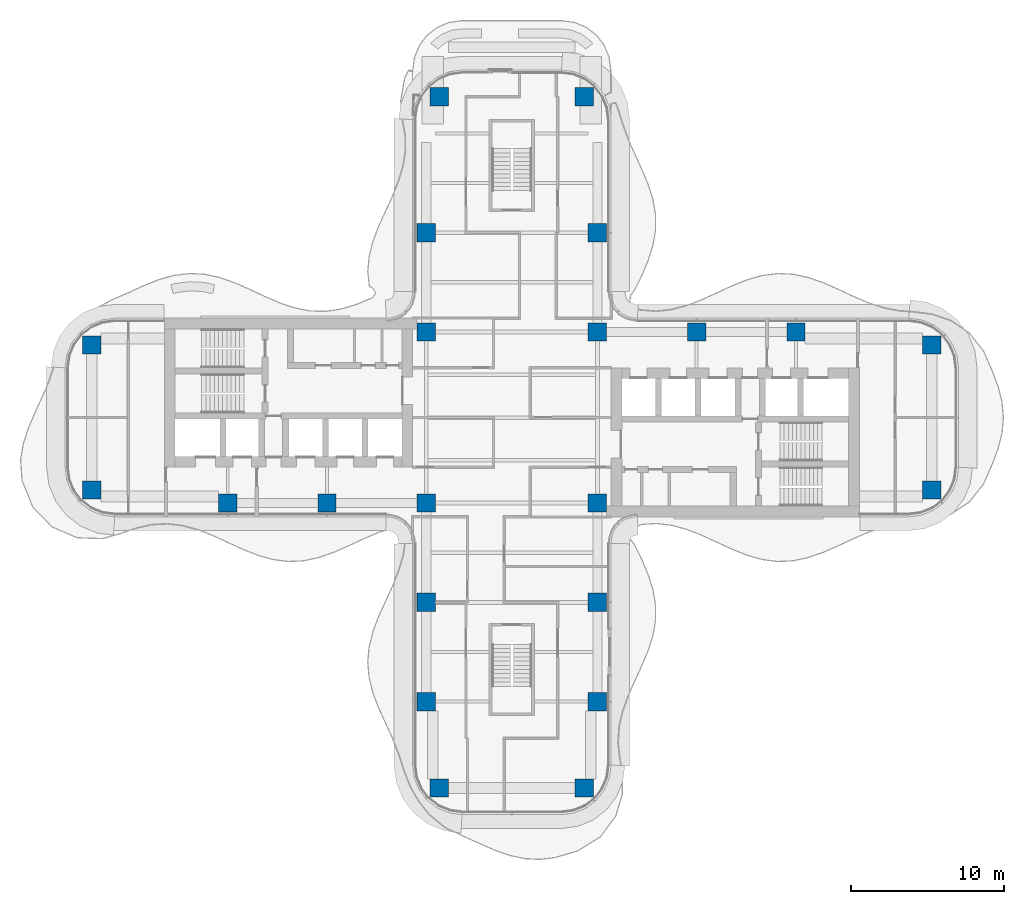
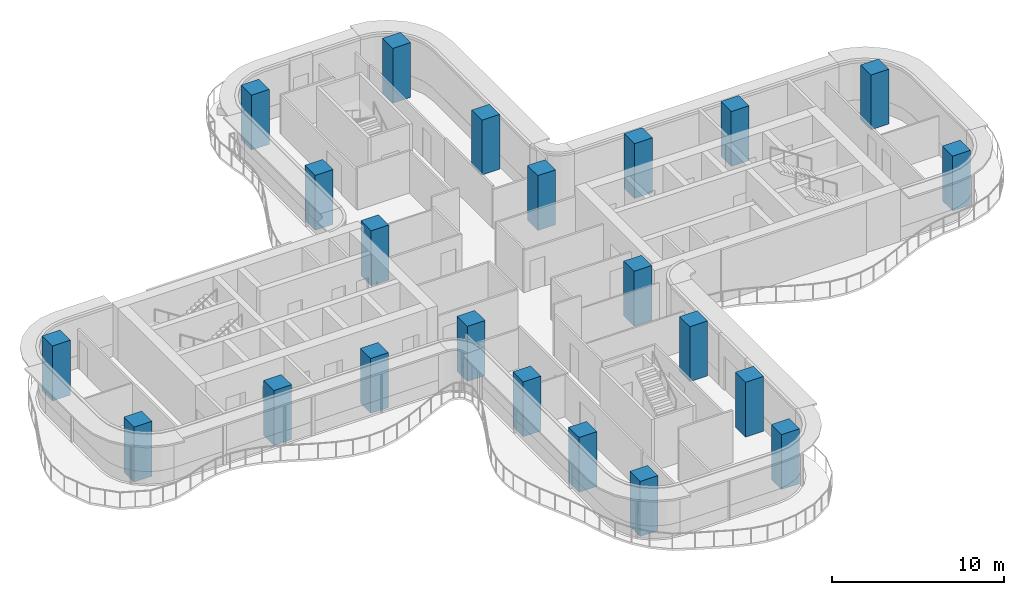
# One storey, part 1 of 17: 22 columns.
"""IFC4 building model written with IfcOpenShell, lengths in metres."""

import ifcopenshell
import ifcopenshell.guid

model = None  # the IFC model being written
_history = None  # IfcOwnerHistory: only IFC2X3 demands one
_inside = {}  # id of a spatial element -> (the spatial element, [elements in it])
_under = {}  # id of a project, library or spatial element -> (it, [spatial elements below it])
_declared = {}  # id of a project -> (the project, [libraries it declares])
_typed = {}  # id of a type object -> (the type object, [elements of that type])
_made_of = {}  # id of a material, layer set ... -> (it, [elements and type objects made of it])


def new_model(schema):
    """Start an empty IFC model of exactly this schema.

    Asked for "IFC4X3", IfcOpenShell would pick the latest addendum, in which some entities
    have other attributes; the version numbers below select the first issue.
    IFC2X3 requires an IfcOwnerHistory on every rooted entity: one is made here for all.
    """
    global model, _history
    if schema == "IFC4X3":
        model = ifcopenshell.file(schema_version=(4, 3, 0, 0))
    else:
        model = ifcopenshell.file(schema=schema)
    _inside.clear()
    _under.clear()
    _declared.clear()
    _typed.clear()
    _made_of.clear()
    _history = None
    if model.schema == "IFC2X3":
        org = make("IfcOrganization", Name="unknown")
        user = make(
            "IfcPersonAndOrganization",
            ThePerson=make("IfcPerson", FamilyName="unknown"),
            TheOrganization=org,
        )
        app = make(
            "IfcApplication",
            ApplicationDeveloper=org,
            Version="unknown",
            ApplicationFullName="unknown",
            ApplicationIdentifier="unknown",
        )
        _history = make(
            "IfcOwnerHistory",
            OwningUser=user,
            OwningApplication=app,
            ChangeAction="ADDED",
            CreationDate=0,
        )
    return model


def make(cls, **values):
    """One entity of the class cls with the attributes given. An attribute that is None is left unset."""
    return model.create_entity(
        cls, **{name: value for name, value in values.items() if value is not None}
    )


def rooted(cls, **values):
    """An entity with a GlobalId (a new one), such as an element, a storey or a relation."""
    return make(cls, GlobalId=ifcopenshell.guid.new(), OwnerHistory=_history, **values)


def si_unit(unit_type, name, prefix=None):
    """IfcSIUnit, for example si_unit("LENGTHUNIT", "METRE", prefix="MILLI")."""
    return make("IfcSIUnit", UnitType=unit_type, Prefix=prefix, Name=name)


def assignment(units):
    """IfcUnitAssignment: the units of a project."""
    return None if units is None else make("IfcUnitAssignment", Units=units)


def point(xyz):
    """IfcCartesianPoint."""
    return None if xyz is None else make("IfcCartesianPoint", Coordinates=xyz)


def direction(xyz):
    """IfcDirection."""
    return None if xyz is None else make("IfcDirection", DirectionRatios=xyz)


def frame(location, z_axis=None, x_axis=None):
    """IfcAxis2Placement3D, a coordinate frame: its origin and axes. An axis left out is left unset."""
    return make(
        "IfcAxis2Placement3D",
        Location=point(location),
        Axis=direction(z_axis),
        RefDirection=direction(x_axis),
    )


def frame_2d(location, x_axis=None):
    """IfcAxis2Placement2D, a coordinate frame in the plane: its origin and x axis."""
    return make(
        "IfcAxis2Placement2D", Location=point(location), RefDirection=direction(x_axis)
    )


def origin():
    """The frame at (0, 0, 0) with its axes left unset."""
    return frame((0.0, 0.0, 0.0))


def origin_2d():
    """The frame at (0, 0) in the plane with its x axis left unset."""
    return frame_2d((0.0, 0.0))


def place(relative_to, where):
    """IfcLocalPlacement: puts the frame where relative to a parent placement (None: the world)."""
    return make(
        "IfcLocalPlacement", PlacementRelTo=relative_to, RelativePlacement=where
    )


def context(
    kind, dimensions, precision=None, world=None, true_north=None, identifier=None
):
    """IfcGeometricRepresentationContext, for example the 3D "Model" context."""
    return make(
        "IfcGeometricRepresentationContext",
        ContextIdentifier=identifier,
        ContextType=kind,
        CoordinateSpaceDimension=dimensions,
        Precision=precision,
        WorldCoordinateSystem=world,
        TrueNorth=true_north,
    )


def subcontext(parent, identifier, kind, view, scale=None):
    """IfcGeometricRepresentationSubContext, for example "Body" below "Model"."""
    return make(
        "IfcGeometricRepresentationSubContext",
        ContextIdentifier=identifier,
        ContextType=kind,
        ParentContext=parent,
        TargetScale=scale,
        TargetView=view,
    )


def project(units=None, contexts=None):
    """IfcProject with its units and contexts."""
    return rooted(
        "IfcProject",
        Name="project",
        RepresentationContexts=contexts,
        UnitsInContext=assignment(units),
    )


def spatial(cls, under=None, at=None, **own):
    """A site, building, storey or space (cls), placed at a placement, below another one or the project."""
    s = rooted(cls, ObjectPlacement=at, **own)
    if under is not None:
        _under.setdefault(under.id(), (under, []))[1].append(s)
    return s


def profile(cls, at=None, kind="AREA", **sizes):
    """A parametric profile (cls). Its sizes go by their IFC names, for example OverallWidth=200.0."""
    return make(cls, ProfileType=kind, Position=at, **sizes)


def rectangle(**sizes):
    """IfcRectangleProfileDef."""
    return profile("IfcRectangleProfileDef", **sizes)


def extrude(swept, where, along, depth):
    """IfcExtrudedAreaSolid: the profile swept, set in the frame where, extruded along a direction by depth."""
    return make(
        "IfcExtrudedAreaSolid",
        SweptArea=swept,
        Position=where,
        ExtrudedDirection=direction(along),
        Depth=depth,
    )


def shape(context_of_items, identifier, shape_type, items):
    """IfcShapeRepresentation: the items that make up one representation, for example the "Body"."""
    return make(
        "IfcShapeRepresentation",
        ContextOfItems=context_of_items,
        RepresentationIdentifier=identifier,
        RepresentationType=shape_type,
        Items=items,
    )


def source(mapping_origin, context_of_items, identifier, shape_type, items):
    """IfcRepresentationMap: a shape defined once, which mapped items show again and again."""
    return make(
        "IfcRepresentationMap",
        MappingOrigin=mapping_origin,
        MappedRepresentation=shape(context_of_items, identifier, shape_type, items),
    )


def transform(
    local_origin,
    x_axis=None,
    y_axis=None,
    z_axis=None,
    scale=None,
    scale2=None,
    scale3=None,
    uniform=True,
):
    """IfcCartesianTransformationOperator3D, or its non-uniform kind. x_axis, y_axis, z_axis: its Axis1, 2, 3."""
    if uniform:
        return make(
            "IfcCartesianTransformationOperator3D",
            Axis1=direction(x_axis),
            Axis2=direction(y_axis),
            LocalOrigin=point(local_origin),
            Scale=scale,
            Axis3=direction(z_axis),
        )
    return make(
        "IfcCartesianTransformationOperator3DnonUniform",
        Axis1=direction(x_axis),
        Axis2=direction(y_axis),
        LocalOrigin=point(local_origin),
        Scale=scale,
        Axis3=direction(z_axis),
        Scale2=scale2,
        Scale3=scale3,
    )


def mapped(mapping_source, mapping_target):
    """IfcMappedItem: shows the shape of a source again, moved by a transform."""
    return make(
        "IfcMappedItem", MappingSource=mapping_source, MappingTarget=mapping_target
    )


def material(Name=None, Category=None):
    """IfcMaterial."""
    return make("IfcMaterial", Name=Name, Category=Category)


def material_profile(
    of_material, cross_section, Name=None, Category=None, Priority=None
):
    """IfcMaterialProfile: a cross section and its material."""
    return make(
        "IfcMaterialProfile",
        Name=Name,
        Material=of_material,
        Profile=cross_section,
        Priority=Priority,
        Category=Category,
    )


def profile_set(profiles, Name=None, composite=None):
    """IfcMaterialProfileSet."""
    return make(
        "IfcMaterialProfileSet",
        Name=Name,
        MaterialProfiles=profiles,
        CompositeProfile=composite,
    )


def made_of(thing, what):
    """Note that an element or type object is made of a material, layer set ...; save() writes the relation."""
    if what is not None:
        _made_of.setdefault(what.id(), (what, []))[1].append(thing)
    return thing


def type_object(cls, material=None, **own):
    """A type object (cls), such as IfcWallType, which elements share."""
    return made_of(rooted(cls, **own), material)


def element(
    cls,
    number,
    at=None,
    inside=None,
    cuts=None,
    type_object=None,
    material=None,
    context=None,
    identifier="Body",
    shape_type=None,
    held_by="IfcProductDefinitionShape",
    body=None,
    shapes=None,
    **own,
):
    """One element of the class cls, such as IfcWall. Its Tag is "e" and its number.

    at: its placement. inside: the storey or other place that contains it. cuts: it is an
    opening in that element (IfcRelVoidsElement). A single representation is given by context,
    identifier, shape_type and body (its items); several are given by shapes. held_by: the class
    of the entity that holds the representations. save() writes the other relations.
    """
    e = rooted(cls, Tag="e%d" % number, ObjectPlacement=at, **own)
    if body is not None:
        shapes = [shape(context, identifier, shape_type, body)]
    if shapes is not None:
        e.Representation = make(held_by, Representations=shapes)
    if inside is not None:
        _inside.setdefault(inside.id(), (inside, []))[1].append(e)
    if cuts is not None:
        rooted(
            "IfcRelVoidsElement", RelatingBuildingElement=cuts, RelatedOpeningElement=e
        )
    if type_object is not None:
        _typed.setdefault(type_object.id(), (type_object, []))[1].append(e)
    return made_of(e, material)


def aggregate(whole, parts):
    """IfcRelAggregates: a whole, such as a stair, and the parts it consists of."""
    return rooted("IfcRelAggregates", RelatingObject=whole, RelatedObjects=parts)


def save(model, path):
    """Write the relations noted so far, then the file.

    IfcRelAggregates (storeys below a building ...), IfcRelContainedInSpatialStructure (elements
    in a storey), IfcRelDefinesByType, IfcRelAssociatesMaterial and IfcRelDeclares: one each for
    every whole, place, type object, material and project.
    """
    for whole, parts in _under.values():
        aggregate(whole, parts)
    for where, things in _inside.values():
        rooted(
            "IfcRelContainedInSpatialStructure",
            RelatedElements=things,
            RelatingStructure=where,
        )
    for kind, things in _typed.values():
        rooted("IfcRelDefinesByType", RelatedObjects=things, RelatingType=kind)
    for what, things in _made_of.values():
        rooted("IfcRelAssociatesMaterial", RelatedObjects=things, RelatingMaterial=what)
    for by, libraries in _declared.values():
        rooted("IfcRelDeclares", RelatingContext=by, RelatedDefinitions=libraries)
    model.write(path)


model = new_model("IFC4")

# Units and contexts
model_context = context("Model", 3, precision=1e-05, world=origin(), true_north=direction((0.0, 1.0)))
body_context = subcontext(model_context, "Body", "Model", "MODEL_VIEW")
ifc_project = project(units=[si_unit("LENGTHUNIT", "METRE"), si_unit("AREAUNIT", "SQUARE_METRE"), si_unit("VOLUMEUNIT", "CUBIC_METRE"), si_unit("PLANEANGLEUNIT", "RADIAN"), si_unit("MASSUNIT", "GRAM", prefix="KILO")], contexts=[model_context])

# Site, building, storey
site_placement = place(None, origin())
site = spatial("IfcSite", under=ifc_project, at=site_placement, CompositionType="ELEMENT")
building_placement = place(site_placement, origin())
building = spatial("IfcBuilding", under=site, at=building_placement, Name="Trellis Farm Tower", CompositionType="ELEMENT")
storey_placement = place(building_placement, frame((0.0, 0.0, 185.39990234375)))
storey = spatial("IfcBuildingStorey", under=building, at=storey_placement, Name="L40", CompositionType="ELEMENT", Elevation=185.39990234375)

# Columns
ifc_material = material(Name="Concrete C70/85", Category="concrete")
ifc_material_profile = material_profile(ifc_material, rectangle(XDim=1.199951171875, YDim=1.199951171875, at=origin_2d()), Name="RC column 1200x1200 C70/85")
ifc_profile_set = profile_set([ifc_material_profile], Name="Concrete C70/85")
column_type = type_object("IfcColumnType", Name="RC column 1200x1200 C70/85", PredefinedType="COLUMN", material=ifc_profile_set)
shared_shape = source(origin(), body_context, "Body", "SweptSolid", [
    extrude(rectangle(XDim=1.199951171875, YDim=1.199951171875, at=origin_2d()), origin(), (0.0, 0.0, 1.0), 3.900146484375),
])
for number, where, z_axis, x_axis, name in (
    (1, (12.10009765625, 5.60009765625, 0.0), (0.0, 0.0, 1.0), (1.0, 0.0, 0.0), "Column"),
    (2, (18.60009765625, 5.60009765625, 0.0), (0.0, 0.0, 1.0), (1.0, 0.0, 0.0), "Column"),
    (3, (27.5, 4.75, 0.0), (0.0, 0.0, 1.0), (1.0, 0.0, 0.0), "Column"),
    (4, (27.5, -4.75, 0.0), (0.0, 0.0, 1.0), (1.0, 0.0, 0.0), "Column"),
    (5, (-5.60009765625, 12.10009765625, 0.0), (0.0, 0.0, 1.0), (1.0, 0.0, 0.0), "Column"),
    (6, (-4.75, 21.0, 0.0), (0.0, 0.0, 1.0), (1.0, 0.0, 0.0), "Column"),
    (7, (5.60009765625, 12.10009765625, 0.0), (0.0, 0.0, 1.0), (1.0, 0.0, 0.0), "Column"),
    (8, (4.75, 21.0, 0.0), (0.0, 0.0, 1.0), (1.0, 0.0, 0.0), "Column"),
    (9, (5.60009765625, 5.60009765625, 0.0), (0.0, 0.0, 1.0), (1.0, 0.0, 0.0), "Column"),
    (10, (-5.60009765625, 5.60009765625, 0.0), (0.0, 0.0, 1.0), (1.0, 0.0, 0.0), "Column"),
    (11, (5.60009765625, -5.60009765625, 0.0), (0.0, 0.0, 1.0), (1.0, 0.0, 0.0), "Column"),
    (12, (-5.60009765625, -5.60009765625, 0.0), (0.0, 0.0, 1.0), (1.0, 0.0, 0.0), "Column"),
    (13, (5.60009765625, -12.10009765625, 0.0), (0.0, 0.0, 1.0), (1.0, 0.0, 0.0), "Column"),
    (14, (5.60009765625, -18.60009765625, 0.0), (0.0, 0.0, 1.0), (1.0, 0.0, 0.0), "Column"),
    (15, (4.75, -24.25, 0.0), (0.0, 0.0, 1.0), (1.0, 0.0, 0.0), "Column"),
    (16, (-5.60009765625, -12.10009765625, 0.0), (0.0, 0.0, 1.0), (1.0, 0.0, 0.0), "Column"),
    (17, (-5.60009765625, -18.60009765625, 0.0), (0.0, 0.0, 1.0), (1.0, 0.0, 0.0), "Column"),
    (18, (-4.75, -24.25, 0.0), (0.0, 0.0, 1.0), (1.0, 0.0, 0.0), "Column"),
    (19, (-12.10009765625, -5.60009765625, 0.0), (0.0, 0.0, 1.0), (1.0, 0.0, 0.0), "Column"),
    (20, (-18.60009765625, -5.60009765625, 0.0), (0.0, 0.0, 1.0), (1.0, 0.0, 0.0), "Column"),
    (21, (-27.5, -4.75, 0.0), (0.0, 0.0, 1.0), (1.0, 0.0, 0.0), "Column"),
    (22, (-27.5, 4.75, 0.0), (0.0, 0.0, 1.0), (1.0, 0.0, 0.0), "Column"),
):
    element("IfcColumn", number, at=place(storey_placement, frame(where, z_axis=z_axis, x_axis=x_axis)), inside=storey, type_object=column_type, Name=name, PredefinedType="COLUMN", context=body_context, shape_type="MappedRepresentation", body=[
        mapped(shared_shape, transform((0.0, 0.0, 0.0))),
    ])

save(model, "model.ifc")
